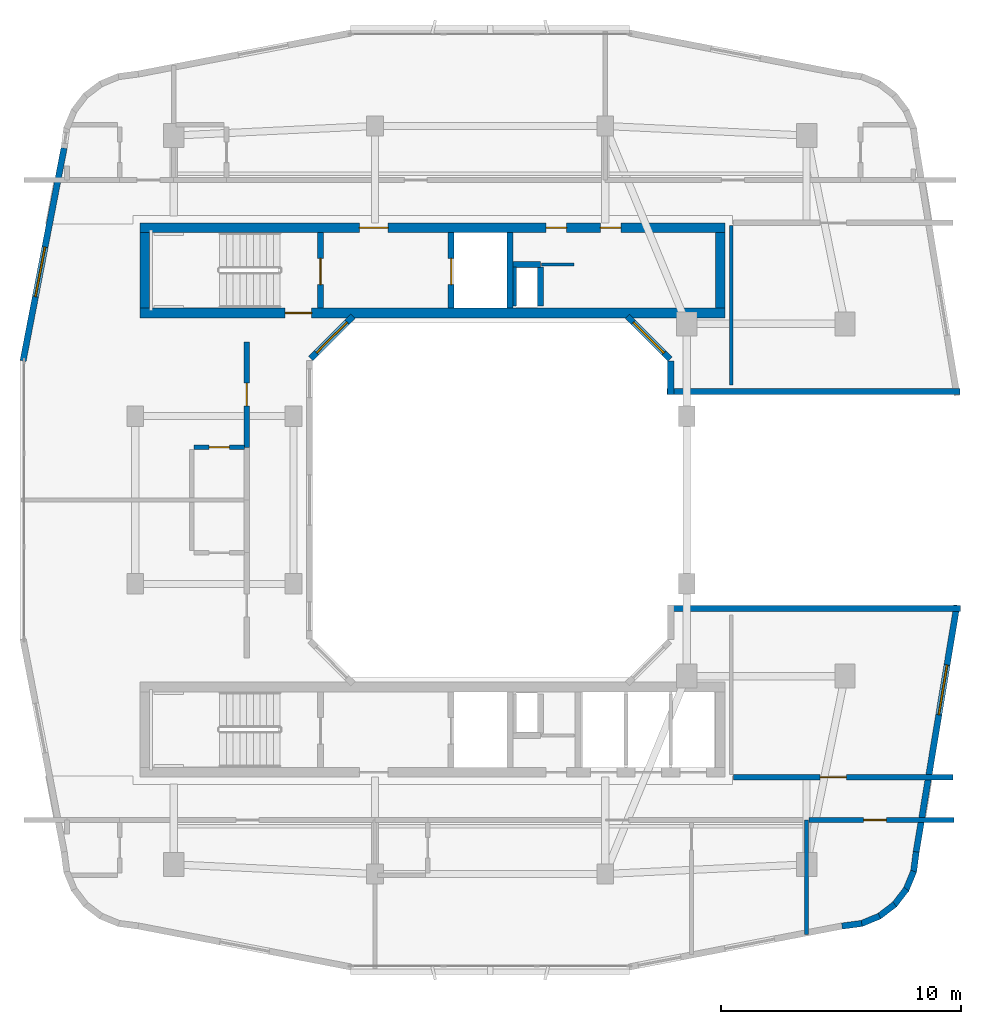
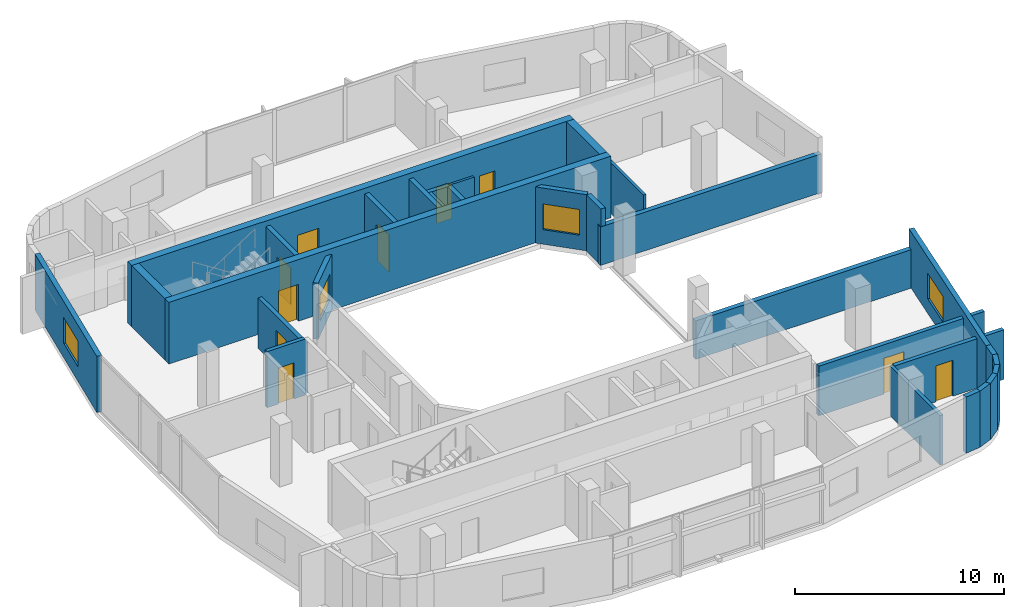
# One storey, part 6 of 12: 30 walls, 10 doors, 4 windows, 14 openings.
"""IFC4 building model written with IfcOpenShell, lengths in metres."""

from ifc_helpers import new_model, si_unit, derived_unit, direction, frame, frame_2d, origin, place, context, subcontext, project, spatial, rectangle, extrude, material, layer, layer_set, type_object, element, fill, save


model = new_model("IFC4")

# Units and contexts
model_context = context("Model", 3, precision=1e-05, world=origin(), true_north=direction((0.0, 1.0)))
body_context = subcontext(model_context, "Body", "Model", "MODEL_VIEW")
ifc_project = project(units=[si_unit("LENGTHUNIT", "METRE"), si_unit("AREAUNIT", "SQUARE_METRE"), si_unit("VOLUMEUNIT", "CUBIC_METRE"), si_unit("PLANEANGLEUNIT", "RADIAN"), si_unit("MASSUNIT", "GRAM", prefix="KILO"), derived_unit("THERMALTRANSMITTANCEUNIT", [(si_unit("POWERUNIT", "WATT"), 1), (si_unit("LENGTHUNIT", "METRE"), -2), (si_unit("THERMODYNAMICTEMPERATUREUNIT", "KELVIN"), -1)])], contexts=[model_context])

# Site, building, storey
site_placement = place(None, origin())
site = spatial("IfcSite", under=ifc_project, at=site_placement, CompositionType="ELEMENT")
building_placement = place(site_placement, origin())
building = spatial("IfcBuilding", under=site, at=building_placement, Name="Kivonza Crest Hotel", CompositionType="ELEMENT")
storey_placement = place(building_placement, frame((0.0, 0.0, 195.5)))
storey = spatial("IfcBuildingStorey", under=building, at=storey_placement, Name="L53", CompositionType="ELEMENT", Elevation=195.5)

# Wall
ifc_material_1 = material(Name="High-density acoustic masonry inter-tenancy wall", Category="masonry")
ifc_layer_1 = layer(ifc_material_1, 0.179931640625)
ifc_layer_set_1 = layer_set([ifc_layer_1], Name="High-density acoustic masonry inter-tenancy wall")
wall_type_1 = type_object("IfcWallType", Name="WL-ACOU-180", PredefinedType="SOLIDWALL", material=ifc_layer_set_1)
wall_1_placement = place(storey_placement, frame((34.199951171875, 6.8720703125, 0.0), z_axis=(0.0, 0.0, 1.0), x_axis=(0.0, 1.0, 0.0)))
element("IfcWall", 1, at=wall_1_placement, inside=storey, type_object=wall_type_1, Name="L53 interior partition WA-L53-T1S-DIV2", PredefinedType="SOLIDWALL", context=body_context, shape_type="SweptSolid", body=[
    extrude(rectangle(XDim=4.77783203125, YDim=0.179931640625, at=frame_2d((2.388916015625, 0.0))), origin(), (0.0, 0.0, 1.0), 2.89501953125),
])

# Wall, opening, door
ifc_material_2 = material(Name="Autoclaved aerated concrete blockwork", Category="masonry")
ifc_layer_2 = layer(ifc_material_2, 0.219970703125)
ifc_layer_set_2 = layer_set([ifc_layer_2], Name="Autoclaved aerated concrete blockwork")
wall_type_2 = type_object("IfcWallType", Name="WL-ACOU-220", PredefinedType="SOLIDWALL", material=ifc_layer_set_2)
wall_2_placement = place(storey_placement, frame((34.300048828125, 11.64990234375, 0.0), z_axis=(0.0, 0.0, 1.0), x_axis=(1.0, 0.0, 0.0)))
wall_2 = element("IfcWall", 2, at=wall_2_placement, inside=storey, type_object=wall_type_2, Name="L53 interior partition WA-L53-BUS-MTG-N", PredefinedType="SOLIDWALL", context=body_context, shape_type="SweptSolid", body=[
    extrude(rectangle(XDim=6.0400390625, YDim=0.219970703125, at=frame_2d((3.02001953125, 0.0))), origin(), (0.0, 0.0, 1.0), 2.89501953125),
])
opening_1_placement = place(wall_2_placement, frame((2.280029296875, 0.0, 0.0)))
opening_1 = element("IfcOpeningElement", 3, at=opening_1_placement, cuts=wall_2, Name="Opening DF-60S", PredefinedType="OPENING", context=body_context, shape_type="SweptSolid", body=[
    extrude(rectangle(XDim=0.949951171875, YDim=2.10009765625, at=frame_2d((0.47509765625, 1.050048828125))), frame((0.0, 0.1201171875, 0.0), z_axis=(0.0, -1.0, 0.0), x_axis=(1.0, 0.0, 0.0)), (0.0, 0.0, 1.0), 0.239990234375),
])
ifc_material_3 = material(Name="Hardwood timber oak", Category="wood")
door_type_1 = type_object("IfcDoorType", Name="DR-FD60-950", OperationType="NOTDEFINED", PredefinedType="DOOR", material=ifc_material_3)
door_1_placement = place(opening_1_placement, frame((0.949951171875, 0.0, 0.0), z_axis=(0.0, 0.0, 1.0), x_axis=(-1.0, 0.0, 0.0)))
door_1 = element("IfcDoor", 4, at=door_1_placement, inside=storey, type_object=door_type_1, Name="L53 Floor Beverage Kitchen door", OperationType="SINGLE_SWING_RIGHT", OverallHeight=2.10009765625, OverallWidth=0.949951171875, PredefinedType="DOOR", context=body_context, shape_type="SweptSolid", body=[
    extrude(rectangle(XDim=0.949951171875, YDim=2.10009765625, at=frame_2d((0.47509765625, 1.050048828125))), frame((0.0, 0.02490234375, 0.0), z_axis=(0.0, -1.0, 0.0), x_axis=(1.0, 0.0, 0.0)), (0.0, 0.0, 1.0), 0.050048828125),
])
fill(opening_1, door_1)

wall_3_placement = place(storey_placement, frame((10.85009765625, 27.199951171875, 0.0), z_axis=(0.0, 0.0, 1.0), x_axis=(0.0, 1.0, 0.0)))
wall_3 = element("IfcWall", 5, at=wall_3_placement, inside=storey, type_object=wall_type_2, Name="L53 interior partition WA-L53-W07-MCORR", PredefinedType="SOLIDWALL", context=body_context, shape_type="SweptSolid", body=[
    extrude(rectangle(XDim=4.400146484375, YDim=0.219970703125, at=frame_2d((2.2001953125, 0.0))), origin(), (0.0, 0.0, 1.0), 2.955078125),
])
opening_2_placement = place(wall_3_placement, frame((1.72509765625, 0.0, 0.0)))
opening_2 = element("IfcOpeningElement", 6, at=opening_2_placement, cuts=wall_3, Name="Opening DU-60", PredefinedType="OPENING", context=body_context, shape_type="SweptSolid", body=[
    extrude(rectangle(XDim=0.949951171875, YDim=2.10009765625, at=frame_2d((0.47509765625, 1.050048828125))), frame((0.0, 0.1201171875, 0.0), z_axis=(0.0, -1.0, 0.0), x_axis=(1.0, 0.0, 0.0)), (0.0, 0.0, 1.0), 0.239990234375),
])
door_type_2 = type_object("IfcDoorType", Name="DR-UNIT-950", OperationType="NOTDEFINED", PredefinedType="DOOR", material=ifc_material_3)
door_2_placement = place(opening_2_placement, origin())
door_2 = element("IfcDoor", 7, at=door_2_placement, inside=storey, type_object=door_type_2, Name="L53 W07 guest unit entrance fire door", OperationType="SINGLE_SWING_LEFT", OverallHeight=2.10009765625, OverallWidth=0.949951171875, PredefinedType="DOOR", context=body_context, shape_type="SweptSolid", body=[
    extrude(rectangle(XDim=0.949951171875, YDim=2.10009765625, at=frame_2d((0.47509765625, 1.050048828125))), frame((0.0, 0.02490234375, 0.0), z_axis=(0.0, -1.0, 0.0), x_axis=(1.0, 0.0, 0.0)), (0.0, 0.0, 1.0), 0.050048828125),
])
fill(opening_2, door_2)

wall_4_placement = place(storey_placement, frame((31.14990234375, 13.43994140625, 0.0), z_axis=(0.0, 0.0, 1.0), x_axis=(1.0, 0.0, 0.0)))
wall_4 = element("IfcWall", 8, at=wall_4_placement, inside=storey, type_object=wall_type_2, Name="L53 interior partition WA-L53-EP1-S", PredefinedType="SOLIDWALL", context=body_context, shape_type="SweptSolid", body=[
    extrude(rectangle(XDim=9.150146484375, YDim=0.219970703125, at=frame_2d((4.5751953125, 0.0))), origin(), (0.0, 0.0, 1.0), 2.89501953125),
])
opening_3_placement = place(wall_4_placement, frame((3.612060546875, 0.0, 0.0)))
opening_3 = element("IfcOpeningElement", 9, at=opening_3_placement, cuts=wall_4, Name="Opening DF-60M", PredefinedType="OPENING", context=body_context, shape_type="SweptSolid", body=[
    extrude(rectangle(XDim=1.10009765625, YDim=2.10009765625, at=frame_2d((0.550048828125, 1.050048828125))), frame((0.0, 0.1201171875, 0.0), z_axis=(0.0, -1.0, 0.0), x_axis=(1.0, 0.0, 0.0)), (0.0, 0.0, 1.0), 0.239990234375),
])
door_type_3 = type_object("IfcDoorType", Name="DR-FD60-1100", OperationType="NOTDEFINED", PredefinedType="DOOR", material=ifc_material_3)
door_3_placement = place(opening_3_placement, origin())
door_3 = element("IfcDoor", 10, at=door_3_placement, inside=storey, type_object=door_type_3, Name="L53 South Portal Sky Salon door", OperationType="SINGLE_SWING_RIGHT", OverallHeight=2.10009765625, OverallWidth=1.10009765625, PredefinedType="DOOR", context=body_context, shape_type="SweptSolid", body=[
    extrude(rectangle(XDim=1.10009765625, YDim=2.10009765625, at=frame_2d((0.550048828125, 1.050048828125))), frame((0.0, 0.02490234375, 0.0), z_axis=(0.0, -1.0, 0.0), x_axis=(1.0, 0.0, 0.0)), (0.0, 0.0, 1.0), 0.050048828125),
])
fill(opening_3, door_3)

ifc_material_4 = material(Name="Concrete C50/60", Category="concrete")
ifc_layer_3 = layer(ifc_material_4, 0.39990234375)
ifc_layer_set_3 = layer_set([ifc_layer_3], Name="Concrete C50/60")
wall_type_3 = type_object("IfcWallType", Name="WL-CORE-400", PredefinedType="SHEAR", material=ifc_layer_set_3)
wall_5_placement = place(storey_placement, frame((6.39990234375, 32.800048828125, 0.0), z_axis=(0.0, 0.0, 1.0), x_axis=(1.0, 0.0, 0.0)))
wall_5 = element("IfcWall", 11, at=wall_5_placement, inside=storey, type_object=wall_type_3, Name="Core wall T1-N South L53", PredefinedType="SHEAR", context=body_context, shape_type="SweptSolid", body=[
    extrude(rectangle(XDim=24.400146484375, YDim=0.39990234375, at=frame_2d((12.2001953125, 0.0))), origin(), (0.0, 0.0, 1.0), 3.60009765625),
])
opening_4_placement = place(wall_5_placement, frame((6.050048828125, 0.0, 0.0)))
opening_4 = element("IfcOpeningElement", 12, at=opening_4_placement, cuts=wall_5, Name="Opening DF-120", PredefinedType="OPENING", context=body_context, shape_type="SweptSolid", body=[
    extrude(rectangle(XDim=1.10009765625, YDim=2.14990234375, at=frame_2d((0.550048828125, 1.074951171875))), frame((0.0, 0.2099609375, 0.0), z_axis=(0.0, -1.0, 0.0), x_axis=(1.0, 0.0, 0.0)), (0.0, 0.0, 1.0), 0.419921875),
])
ifc_material_5 = material(Name="Galvanised steel", Category="steel")
door_type_4 = type_object("IfcDoorType", Name="DR-FD120-1100", OperationType="NOTDEFINED", PredefinedType="DOOR", material=ifc_material_5)
door_4_placement = place(opening_4_placement, origin())
door_4 = element("IfcDoor", 13, at=door_4_placement, inside=storey, type_object=door_type_4, Name="L53 West corridor stair access fire door", OperationType="SINGLE_SWING_LEFT", OverallHeight=2.14990234375, OverallWidth=1.10009765625, PredefinedType="DOOR", context=body_context, shape_type="SweptSolid", body=[
    extrude(rectangle(XDim=1.10009765625, YDim=2.14990234375, at=frame_2d((0.550048828125, 1.074951171875))), frame((0.0, 0.02490234375, 0.0), z_axis=(0.0, -1.0, 0.0), x_axis=(1.0, 0.0, 0.0)), (0.0, 0.0, 1.0), 0.050048828125),
])
fill(opening_4, door_4)

# Wall, openings, doors
wall_6_placement = place(storey_placement, frame((6.39990234375, 36.360107421875, 0.0), z_axis=(0.0, 0.0, 1.0), x_axis=(1.0, 0.0, 0.0)))
wall_6 = element("IfcWall", 14, at=wall_6_placement, inside=storey, type_object=wall_type_3, Name="Core wall T1-N North L53", PredefinedType="SHEAR", context=body_context, shape_type="SweptSolid", body=[
    extrude(rectangle(XDim=24.400146484375, YDim=0.39990234375, at=frame_2d((12.2001953125, 0.0))), origin(), (0.0, 0.0, 1.0), 3.60009765625),
])
opening_5_placement = place(wall_6_placement, frame((9.14990234375, 0.0, 0.0)))
opening_5 = element("IfcOpeningElement", 15, at=opening_5_placement, cuts=wall_6, Name="Opening DF-60", PredefinedType="OPENING", context=body_context, shape_type="SweptSolid", body=[
    extrude(rectangle(XDim=1.199951171875, YDim=2.14990234375, at=frame_2d((0.60009765625, 1.074951171875))), frame((0.0, 0.2099609375, 0.0), z_axis=(0.0, -1.0, 0.0), x_axis=(1.0, 0.0, 0.0)), (0.0, 0.0, 1.0), 0.419921875),
])
opening_6_placement = place(wall_6_placement, frame((19.199951171875, 0.0, 0.0)))
opening_6 = element("IfcOpeningElement", 16, at=opening_6_placement, cuts=wall_6, Name="Opening DF-60R", PredefinedType="OPENING", context=body_context, shape_type="SweptSolid", body=[
    extrude(rectangle(XDim=0.85009765625, YDim=2.10009765625, at=frame_2d((0.425048828125, 1.050048828125))), frame((0.0, 0.2099609375, 0.0), z_axis=(0.0, -1.0, 0.0), x_axis=(1.0, 0.0, 0.0)), (0.0, 0.0, 1.0), 0.419921875),
])
opening_7_placement = place(wall_6_placement, frame((16.93994140625, 0.0, 0.0)))
opening_7 = element("IfcOpeningElement", 17, at=opening_7_placement, cuts=wall_6, Name="Opening DF-60R", PredefinedType="OPENING", context=body_context, shape_type="SweptSolid", body=[
    extrude(rectangle(XDim=0.85009765625, YDim=2.10009765625, at=frame_2d((0.425048828125, 1.050048828125))), frame((0.0, 0.2099609375, 0.0), z_axis=(0.0, -1.0, 0.0), x_axis=(1.0, 0.0, 0.0)), (0.0, 0.0, 1.0), 0.419921875),
])
door_type_5 = type_object("IfcDoorType", Name="DR-FD60-1200", OperationType="NOTDEFINED", PredefinedType="DOOR", material=ifc_material_3)
door_5_placement = place(opening_5_placement, origin())
door_5 = element("IfcDoor", 18, at=door_5_placement, inside=storey, type_object=door_type_5, Name="L53 T1-N firefighting lobby fire door", OperationType="SINGLE_SWING_RIGHT", OverallHeight=2.14990234375, OverallWidth=1.199951171875, PredefinedType="DOOR", context=body_context, shape_type="SweptSolid", body=[
    extrude(rectangle(XDim=1.199951171875, YDim=2.14990234375, at=frame_2d((0.60009765625, 1.074951171875))), frame((0.0, 0.02490234375, 0.0), z_axis=(0.0, -1.0, 0.0), x_axis=(1.0, 0.0, 0.0)), (0.0, 0.0, 1.0), 0.050048828125),
])
fill(opening_5, door_5)
door_type_6 = type_object("IfcDoorType", Name="DR-FD60-850", OperationType="NOTDEFINED", PredefinedType="DOOR", material=ifc_material_3)
door_6_placement = place(opening_6_placement, origin())
door_6 = element("IfcDoor", 19, at=door_6_placement, inside=storey, type_object=door_type_6, Name="L53 T1-N reclaimed core service door", OperationType="SINGLE_SWING_LEFT", OverallHeight=2.10009765625, OverallWidth=0.85009765625, PredefinedType="DOOR", context=body_context, shape_type="SweptSolid", body=[
    extrude(rectangle(XDim=0.85009765625, YDim=2.10009765625, at=frame_2d((0.425048828125, 1.050048828125))), frame((0.0, 0.02490234375, 0.0), z_axis=(0.0, -1.0, 0.0), x_axis=(1.0, 0.0, 0.0)), (0.0, 0.0, 1.0), 0.050048828125),
])
fill(opening_6, door_6)
door_7_placement = place(opening_7_placement, origin())
door_7 = element("IfcDoor", 20, at=door_7_placement, inside=storey, type_object=door_type_6, Name="L53 T1-N core room door", OperationType="SINGLE_SWING_RIGHT", OverallHeight=2.10009765625, OverallWidth=0.85009765625, PredefinedType="DOOR", context=body_context, shape_type="SweptSolid", body=[
    extrude(rectangle(XDim=0.85009765625, YDim=2.10009765625, at=frame_2d((0.425048828125, 1.050048828125))), frame((0.0, 0.02490234375, 0.0), z_axis=(0.0, -1.0, 0.0), x_axis=(1.0, 0.0, 0.0)), (0.0, 0.0, 1.0), 0.050048828125),
])
fill(opening_7, door_7)

# Walls
for number, where, z_axis, x_axis, name in (
    (21, (6.60009765625, 33.0, 0.0), (0.0, 0.0, 1.0), (0.0, 1.0, 0.0), "Core wall T1-N West L53"),
    (22, (30.60009765625, 33.0, 0.0), (0.0, 0.0, 1.0), (0.0, 1.0, 0.0), "Core wall T1-N East L53"),
):
    element("IfcWall", number, at=place(storey_placement, frame(where, z_axis=z_axis, x_axis=x_axis)), inside=storey, type_object=wall_type_3, Name=name, PredefinedType="SHEAR", context=body_context, shape_type="SweptSolid", body=[
        extrude(rectangle(XDim=3.159912109375, YDim=0.39990234375, at=frame_2d((1.580078125, 0.0))), origin(), (0.0, 0.0, 1.0), 3.60009765625),
    ])
ifc_material_6 = material(Name="Precast concrete C40/50", Category="concrete")
ifc_layer_4 = layer(ifc_material_6, 0.260009765625)
ifc_layer_set_4 = layer_set([ifc_layer_4], Name="Precast concrete C40/50")
wall_type_4 = type_object("IfcWallType", Name="WL-EXT-260", PredefinedType="STANDARD", material=ifc_layer_set_4)
wall_7_placement = place(storey_placement, frame((35.675048828125, 7.22802734375, 0.0), z_axis=(0.0, 0.0, 1.0), x_axis=(0.99142134712, 0.130704676564, 0.0)))
element("IfcWall", 23, at=wall_7_placement, inside=storey, type_object=wall_type_4, Name="L53 T1 exterior insulated wall 10", PredefinedType="STANDARD", context=body_context, shape_type="SweptSolid", body=[
    extrude(rectangle(XDim=0.8330078125, YDim=0.260009765625, at=frame_2d((0.41650390625, 0.0))), origin(), (0.0, 0.0, 1.0), 3.280029296875),
])
wall_8_placement = place(storey_placement, frame((36.455078125, 7.319091796875, 0.0), z_axis=(0.0, 0.0, 1.0), x_axis=(0.923712395518, 0.383086687796, 0.0)))
element("IfcWall", 24, at=wall_8_placement, inside=storey, type_object=wall_type_4, Name="L53 T1 exterior insulated wall 11", PredefinedType="STANDARD", context=body_context, shape_type="SweptSolid", body=[
    extrude(rectangle(XDim=0.850830078125, YDim=0.260009765625, at=frame_2d((0.42529296875, 0.0))), origin(), (0.0, 0.0, 1.0), 3.280029296875),
])
for number, where, z_axis, x_axis, name in (
    (25, (37.200927734375, 7.616943359375, 0.0), (0.0, 0.0, 1.0), (0.793860452124, 0.608099977432, 0.0), "L53 T1 exterior insulated wall 12"),
    (26, (37.844970703125, 8.095947265625, 0.0), (0.0, 0.0, 1.0), (0.608099977432, 0.793860452124, 0.0), "L53 T1 exterior insulated wall 13"),
):
    element("IfcWall", number, at=place(storey_placement, frame(where, z_axis=z_axis, x_axis=x_axis)), inside=storey, type_object=wall_type_4, Name=name, PredefinedType="STANDARD", context=body_context, shape_type="SweptSolid", body=[
        extrude(rectangle(XDim=0.850341796875, YDim=0.260009765625, at=frame_2d((0.42529296875, 0.0))), origin(), (0.0, 0.0, 1.0), 3.280029296875),
    ])
wall_9_placement = place(storey_placement, frame((38.341064453125, 8.72705078125, 0.0), z_axis=(0.0, 0.0, 1.0), x_axis=(0.383086687796, 0.923712395518, 0.0)))
element("IfcWall", 27, at=wall_9_placement, inside=storey, type_object=wall_type_4, Name="L53 T1 exterior insulated wall 14", PredefinedType="STANDARD", context=body_context, shape_type="SweptSolid", body=[
    extrude(rectangle(XDim=0.850830078125, YDim=0.260009765625, at=frame_2d((0.42529296875, 0.0))), origin(), (0.0, 0.0, 1.0), 3.280029296875),
])
wall_10_placement = place(storey_placement, frame((38.658935546875, 9.464111328125, 0.0), z_axis=(0.0, 0.0, 1.0), x_axis=(0.130192647656, 0.991488716273, 0.0)))
element("IfcWall", 28, at=wall_10_placement, inside=storey, type_object=wall_type_4, Name="L53 T1 exterior insulated wall 15", PredefinedType="STANDARD", context=body_context, shape_type="SweptSolid", body=[
    extrude(rectangle(XDim=0.8681640625, YDim=0.260009765625, at=frame_2d((0.43408203125, 0.0))), origin(), (0.0, 0.0, 1.0), 3.280029296875),
])

# Wall, opening, window
wall_11_placement = place(storey_placement, frame((38.77099609375, 10.31298828125, 0.0), z_axis=(0.0, 0.0, 1.0), x_axis=(0.16277908586, 0.986662540693, 0.0)))
wall_11 = element("IfcWall", 29, at=wall_11_placement, inside=storey, type_object=wall_type_4, Name="L53 T1 exterior insulated wall 16", PredefinedType="STANDARD", context=body_context, shape_type="SweptSolid", body=[
    extrude(rectangle(XDim=10.437255859375, YDim=0.260009765625, at=frame_2d((5.21875, 0.0))), origin(), (0.0, 0.0, 1.0), 3.280029296875),
])
opening_8_placement = place(wall_11_placement, frame((5.81005859375, 0.0, 0.85009765625)))
opening_8 = element("IfcOpeningElement", 30, at=opening_8_placement, cuts=wall_11, Name="Opening WN-04", PredefinedType="OPENING", context=body_context, shape_type="SweptSolid", body=[
    extrude(rectangle(XDim=2.10009765625, YDim=1.5, at=frame_2d((1.050048828125, 0.75))), frame((0.0, 0.14013671875, 0.0), z_axis=(0.0, -1.0, 0.0), x_axis=(1.0, 0.0, 0.0)), (0.0, 0.0, 1.0), 0.280029296875),
])
ifc_material_7 = material(Name="Thermally broken bronze aluminium and low-E double glazing", Category="aluminium")
window_type_1 = type_object("IfcWindowType", Name="WN-210x150", PartitioningType="DOUBLE_PANEL_VERTICAL", PredefinedType="WINDOW", material=ifc_material_7)
window_1_placement = place(opening_8_placement, origin())
window_1 = element("IfcWindow", 31, at=window_1_placement, inside=storey, type_object=window_type_1, Name="L53 T1 facade window 16", OverallHeight=1.5, OverallWidth=2.10009765625, PartitioningType="SINGLE_PANEL", PredefinedType="WINDOW", context=body_context, shape_type="SweptSolid", body=[
    extrude(rectangle(XDim=2.10009765625, YDim=1.5, at=frame_2d((1.050048828125, 0.75))), frame((0.0, 0.030029296875, 0.0), z_axis=(0.0, -1.0, 0.0), x_axis=(1.0, 0.0, 0.0)), (0.0, 0.0, 1.0), 0.06005859375),
])
fill(opening_8, window_1)

# Wall
wall_12_placement = place(storey_placement, frame((40.625, 20.469970703125, 0.0), z_axis=(0.0, 0.0, 1.0), x_axis=(-1.0, 0.0, 0.0)))
element("IfcWall", 32, at=wall_12_placement, inside=storey, type_object=wall_type_4, Name="L53 T1 exterior insulated wall 17", PredefinedType="STANDARD", context=body_context, shape_type="SweptSolid", body=[
    extrude(rectangle(XDim=12.215087890625, YDim=0.260009765625, at=frame_2d((6.107421875, 0.0))), origin(), (0.0, 0.0, 1.0), 2.25),
])

# Wall, opening, window
wall_13_placement = place(storey_placement, frame((13.514892578125, 30.89892578125, 0.0), z_axis=(0.0, 0.0, 1.0), x_axis=(0.707106781187, 0.707106781187, 0.0)))
wall_13 = element("IfcWall", 33, at=wall_13_placement, inside=storey, type_object=wall_type_4, Name="L53 T1 exterior insulated wall 23", PredefinedType="STANDARD", context=body_context, shape_type="SweptSolid", body=[
    extrude(rectangle(XDim=2.493408203125, YDim=0.260009765625, at=frame_2d((1.24658203125, 0.0))), origin(), (0.0, 0.0, 1.0), 3.280029296875),
])
opening_9_placement = place(wall_13_placement, frame((0.346923828125, 0.0, 0.85009765625)))
opening_9 = element("IfcOpeningElement", 34, at=opening_9_placement, cuts=wall_13, Name="Opening WN-03", PredefinedType="OPENING", context=body_context, shape_type="SweptSolid", body=[
    extrude(rectangle(XDim=1.800048828125, YDim=1.5, at=frame_2d((0.89990234375, 0.75))), frame((0.0, 0.14013671875, 0.0), z_axis=(0.0, -1.0, 0.0), x_axis=(1.0, 0.0, 0.0)), (0.0, 0.0, 1.0), 0.280029296875),
])
window_type_2 = type_object("IfcWindowType", Name="WN-180x150", PartitioningType="DOUBLE_PANEL_VERTICAL", PredefinedType="WINDOW", material=ifc_material_7)
window_2_placement = place(opening_9_placement, origin())
window_2 = element("IfcWindow", 35, at=window_2_placement, inside=storey, type_object=window_type_2, Name="L53 T1 facade window 23", OverallHeight=1.5, OverallWidth=1.800048828125, PartitioningType="SINGLE_PANEL", PredefinedType="WINDOW", context=body_context, shape_type="SweptSolid", body=[
    extrude(rectangle(XDim=1.800048828125, YDim=1.5, at=frame_2d((0.89990234375, 0.75))), frame((0.0, 0.030029296875, 0.0), z_axis=(0.0, -1.0, 0.0), x_axis=(1.0, 0.0, 0.0)), (0.0, 0.0, 1.0), 0.06005859375),
])
fill(opening_9, window_2)

wall_14_placement = place(storey_placement, frame((26.721923828125, 32.662109375, 0.0), z_axis=(0.0, 0.0, 1.0), x_axis=(0.707106781187, -0.707106781187, 0.0)))
wall_14 = element("IfcWall", 36, at=wall_14_placement, inside=storey, type_object=wall_type_4, Name="L53 T1 exterior insulated wall 25", PredefinedType="STANDARD", context=body_context, shape_type="SweptSolid", body=[
    extrude(rectangle(XDim=2.52880859375, YDim=0.260009765625, at=frame_2d((1.264404296875, 0.0))), origin(), (0.0, 0.0, 1.0), 3.280029296875),
])
opening_10_placement = place(wall_14_placement, frame((0.364013671875, 0.0, 0.85009765625)))
opening_10 = element("IfcOpeningElement", 37, at=opening_10_placement, cuts=wall_14, Name="Opening WN-03", PredefinedType="OPENING", context=body_context, shape_type="SweptSolid", body=[
    extrude(rectangle(XDim=1.800048828125, YDim=1.5, at=frame_2d((0.89990234375, 0.75))), frame((0.0, 0.14013671875, 0.0), z_axis=(0.0, -1.0, 0.0), x_axis=(1.0, 0.0, 0.0)), (0.0, 0.0, 1.0), 0.280029296875),
])
window_3_placement = place(opening_10_placement, origin())
window_3 = element("IfcWindow", 38, at=window_3_placement, inside=storey, type_object=window_type_2, Name="L53 T1 facade window 25", OverallHeight=1.5, OverallWidth=1.800048828125, PartitioningType="SINGLE_PANEL", PredefinedType="WINDOW", context=body_context, shape_type="SweptSolid", body=[
    extrude(rectangle(XDim=1.800048828125, YDim=1.5, at=frame_2d((0.89990234375, 0.75))), frame((0.0, 0.030029296875, 0.0), z_axis=(0.0, -1.0, 0.0), x_axis=(1.0, 0.0, 0.0)), (0.0, 0.0, 1.0), 0.06005859375),
])
fill(opening_10, window_3)

# Walls
wall_15_placement = place(storey_placement, frame((28.530029296875, 30.7900390625, 0.0), z_axis=(0.0, 0.0, 1.0), x_axis=(0.0, -1.0, 0.0)))
element("IfcWall", 39, at=wall_15_placement, inside=storey, type_object=wall_type_4, Name="L53 T1 exterior insulated wall 26", PredefinedType="STANDARD", context=body_context, shape_type="SweptSolid", body=[
    extrude(rectangle(XDim=1.380126953125, YDim=0.260009765625, at=frame_2d((0.68994140625, 0.0))), origin(), (0.0, 0.0, 1.0), 3.280029296875),
])
wall_16_placement = place(storey_placement, frame((28.375, 29.530029296875, 0.0), z_axis=(0.0, 0.0, 1.0), x_axis=(1.0, 0.0, 0.0)))
element("IfcWall", 40, at=wall_16_placement, inside=storey, type_object=wall_type_4, Name="L53 T1 exterior insulated wall 27", PredefinedType="STANDARD", context=body_context, shape_type="SweptSolid", body=[
    extrude(rectangle(XDim=12.215087890625, YDim=0.260009765625, at=frame_2d((6.107421875, 0.0))), origin(), (0.0, 0.0, 1.0), 2.25),
])

# Wall, opening, window
wall_17_placement = place(storey_placement, frame((3.22998046875, 39.68310546875, 0.0), z_axis=(0.0, 0.0, 1.0), x_axis=(-0.189254809039, -0.98192801022, 0.0)))
wall_17 = element("IfcWall", 41, at=wall_17_placement, inside=storey, type_object=wall_type_4, Name="L53 T1 exterior insulated wall 44", PredefinedType="STANDARD", context=body_context, shape_type="SweptSolid", body=[
    extrude(rectangle(XDim=9.045654296875, YDim=0.260009765625, at=frame_2d((4.52294921875, 0.0))), origin(), (0.0, 0.0, 1.0), 3.280029296875),
])
opening_11_placement = place(wall_17_placement, frame((4.2119140625, 0.0, 0.85009765625)))
opening_11 = element("IfcOpeningElement", 42, at=opening_11_placement, cuts=wall_17, Name="Opening WN-04", PredefinedType="OPENING", context=body_context, shape_type="SweptSolid", body=[
    extrude(rectangle(XDim=2.10009765625, YDim=1.5, at=frame_2d((1.050048828125, 0.75))), frame((0.0, 0.14013671875, 0.0), z_axis=(0.0, -1.0, 0.0), x_axis=(1.0, 0.0, 0.0)), (0.0, 0.0, 1.0), 0.280029296875),
])
window_4_placement = place(opening_11_placement, origin())
window_4 = element("IfcWindow", 43, at=window_4_placement, inside=storey, type_object=window_type_1, Name="L53 T1 facade window 44", OverallHeight=1.5, OverallWidth=2.10009765625, PartitioningType="SINGLE_PANEL", PredefinedType="WINDOW", context=body_context, shape_type="SweptSolid", body=[
    extrude(rectangle(XDim=2.10009765625, YDim=1.5, at=frame_2d((1.050048828125, 0.75))), frame((0.0, 0.030029296875, 0.0), z_axis=(0.0, -1.0, 0.0), x_axis=(1.0, 0.0, 0.0)), (0.0, 0.0, 1.0), 0.06005859375),
])
fill(opening_11, window_4)

# Walls
ifc_material_8 = material(Name="Concrete blockwork fire-compartment wall", Category="masonry")
ifc_layer_5 = layer(ifc_material_8, 0.25)
ifc_layer_set_5 = layer_set([ifc_layer_5], Name="Concrete blockwork fire-compartment wall")
wall_type_5 = type_object("IfcWallType", Name="WL-FIRE-250", PredefinedType="SOLIDWALL", material=ifc_layer_set_5)
wall_18_placement = place(storey_placement, frame((23.10009765625, 33.10009765625, 0.0), z_axis=(0.0, 0.0, 1.0), x_axis=(0.0, 1.0, 0.0)))
element("IfcWall", 44, at=wall_18_placement, inside=storey, type_object=wall_type_5, Name="L53 interior partition WA-L53-T1-N-MEPR-E", PredefinedType="SOLIDWALL", context=body_context, shape_type="SweptSolid", body=[
    extrude(rectangle(XDim=1.619873046875, YDim=0.25, at=frame_2d((0.81005859375, 0.0))), origin(), (0.0, 0.0, 1.0), 3.280029296875),
])
wall_19_placement = place(storey_placement, frame((21.949951171875, 34.820068359375, 0.0), z_axis=(0.0, 0.0, 1.0), x_axis=(1.0, 0.0, 0.0)))
element("IfcWall", 45, at=wall_19_placement, inside=storey, type_object=wall_type_5, Name="L53 interior partition WA-L53-T1-N-MEPR-H", PredefinedType="SOLIDWALL", context=body_context, shape_type="SweptSolid", body=[
    extrude(rectangle(XDim=1.150146484375, YDim=0.25, at=frame_2d((0.5751953125, 0.0))), origin(), (0.0, 0.0, 1.0), 3.280029296875),
])
ifc_material_9 = material(Name="Metal-stud gypsum board partition", Category="gypsum")
ifc_layer_6 = layer(ifc_material_9, 0.125)
ifc_layer_set_6 = layer_set([ifc_layer_6], Name="Metal-stud gypsum board partition")
wall_type_6 = type_object("IfcWallType", Name="WL-PART-125", PredefinedType="PARTITIONING", material=ifc_layer_set_6)
wall_20_placement = place(storey_placement, frame((23.14990234375, 34.820068359375, 0.0), z_axis=(0.0, 0.0, 1.0), x_axis=(1.0, 0.0, 0.0)))
element("IfcWall", 46, at=wall_20_placement, inside=storey, type_object=wall_type_6, Name="L53 interior partition WP-L53-T1-N-SV2H", PredefinedType="PARTITIONING", context=body_context, shape_type="SweptSolid", body=[
    extrude(rectangle(XDim=1.35009765625, YDim=0.125, at=frame_2d((0.675048828125, 0.0))), origin(), (0.0, 0.0, 1.0), 3.280029296875),
])
ifc_material_10 = material(Name="Twin-stud acoustic gypsum board partition", Category="gypsum")
ifc_layer_7 = layer(ifc_material_10, 0.14990234375)
ifc_layer_set_7 = layer_set([ifc_layer_7], Name="Twin-stud acoustic gypsum board partition")
wall_type_7 = type_object("IfcWallType", Name="WL-PART-150", PredefinedType="PARTITIONING", material=ifc_layer_set_7)
wall_21_placement = place(storey_placement, frame((22.030029296875, 33.10009765625, 0.0), z_axis=(0.0, 0.0, 1.0), x_axis=(0.0, 1.0, 0.0)))
element("IfcWall", 47, at=wall_21_placement, inside=storey, type_object=wall_type_7, Name="L53 interior partition WA-L53-T1-N-MEPR-W", PredefinedType="PARTITIONING", context=body_context, shape_type="SweptSolid", body=[
    extrude(rectangle(XDim=1.619873046875, YDim=0.14990234375, at=frame_2d((0.81005859375, 0.0))), origin(), (0.0, 0.0, 1.0), 3.280029296875),
])
wall_22_placement = place(storey_placement, frame((31.050048828125, 29.800048828125, 0.0), z_axis=(0.0, 0.0, 1.0), x_axis=(0.0, 1.0, 0.0)))
element("IfcWall", 48, at=wall_22_placement, inside=storey, type_object=wall_type_7, Name="L53 interior partition WP-L53-EP2-BW", PredefinedType="PARTITIONING", context=body_context, shape_type="SweptSolid", body=[
    extrude(rectangle(XDim=6.659912109375, YDim=0.14990234375, at=frame_2d((3.330078125, 0.0))), origin(), (0.0, 0.0, 1.0), 2.955078125),
])

# Wall, opening, door
ifc_material_11 = material(Name="Moisture-resistant plumbing chase partition wall", Category="gypsum")
ifc_layer_8 = layer(ifc_material_11, 0.199951171875)
ifc_layer_set_8 = layer_set([ifc_layer_8], Name="Moisture-resistant plumbing chase partition wall")
wall_type_8 = type_object("IfcWallType", Name="WL-PLUMB-200", PredefinedType="PLUMBINGWALL", material=ifc_layer_set_8)
wall_23_placement = place(storey_placement, frame((8.64990234375, 27.199951171875, 0.0), z_axis=(0.0, 0.0, 1.0), x_axis=(1.0, 0.0, 0.0)))
wall_23 = element("IfcWall", 49, at=wall_23_placement, inside=storey, type_object=wall_type_8, Name="L53 interior partition WW-L53-W07-BH", PredefinedType="PLUMBINGWALL", context=body_context, shape_type="SweptSolid", body=[
    extrude(rectangle(XDim=2.10009765625, YDim=0.199951171875, at=frame_2d((1.050048828125, 0.0))), origin(), (0.0, 0.0, 1.0), 3.280029296875),
])
opening_12_placement = place(wall_23_placement, frame((0.625, 0.0, 0.0)))
opening_12 = element("IfcOpeningElement", 50, at=opening_12_placement, cuts=wall_23, Name="Opening DI-85", PredefinedType="OPENING", context=body_context, shape_type="SweptSolid", body=[
    extrude(rectangle(XDim=0.85009765625, YDim=2.10009765625, at=frame_2d((0.425048828125, 1.050048828125))), frame((0.0, 0.10986328125, 0.0), z_axis=(0.0, -1.0, 0.0), x_axis=(1.0, 0.0, 0.0)), (0.0, 0.0, 1.0), 0.219970703125),
])
door_type_7 = type_object("IfcDoorType", Name="DR-INT-850", OperationType="NOTDEFINED", PredefinedType="DOOR", material=ifc_material_3)
door_8_placement = place(opening_12_placement, origin())
door_8 = element("IfcDoor", 51, at=door_8_placement, inside=storey, type_object=door_type_7, Name="L53 W07 en-suite bathroom door", OperationType="SINGLE_SWING_RIGHT", OverallHeight=2.10009765625, OverallWidth=0.85009765625, PredefinedType="DOOR", context=body_context, shape_type="SweptSolid", body=[
    extrude(rectangle(XDim=0.85009765625, YDim=2.10009765625, at=frame_2d((0.425048828125, 1.050048828125))), frame((0.0, 0.02490234375, 0.0), z_axis=(0.0, -1.0, 0.0), x_axis=(1.0, 0.0, 0.0)), (0.0, 0.0, 1.0), 0.050048828125),
])
fill(opening_12, door_8)

ifc_layer_9 = layer(ifc_material_4, 0.25)
ifc_layer_set_9 = layer_set([ifc_layer_9], Name="Concrete C50/60")
wall_type_9 = type_object("IfcWallType", Name="WL-SHAFT-250", PredefinedType="STANDARD", material=ifc_layer_set_9)
wall_24_placement = place(storey_placement, frame((13.925048828125, 33.0, 0.0), z_axis=(0.0, 0.0, 1.0), x_axis=(0.0, 1.0, 0.0)))
wall_24 = element("IfcWall", 52, at=wall_24_placement, inside=storey, type_object=wall_type_9, Name="Core shaft wall T1-N STAIR L53", PredefinedType="STANDARD", context=body_context, shape_type="SweptSolid", body=[
    extrude(rectangle(XDim=3.159912109375, YDim=0.25, at=frame_2d((1.580078125, 0.0))), origin(), (0.0, 0.0, 1.0), 3.280029296875),
])
opening_13_placement = place(wall_24_placement, frame((0.97998046875, 0.0, 0.0)))
opening_13 = element("IfcOpeningElement", 53, at=opening_13_placement, cuts=wall_24, Name="Opening DF-120", PredefinedType="OPENING", context=body_context, shape_type="SweptSolid", body=[
    extrude(rectangle(XDim=1.10009765625, YDim=2.14990234375, at=frame_2d((0.550048828125, 1.074951171875))), frame((0.0, 0.135009765625, 0.0), z_axis=(0.0, -1.0, 0.0), x_axis=(1.0, 0.0, 0.0)), (0.0, 0.0, 1.0), 0.27001953125),
])
door_9_placement = place(opening_13_placement, frame((1.10009765625, 0.0, 0.0), z_axis=(0.0, 0.0, 1.0), x_axis=(-1.0, 0.0, 0.0)))
door_9 = element("IfcDoor", 54, at=door_9_placement, inside=storey, type_object=door_type_4, Name="L53 T1-N stair fire door", OperationType="SINGLE_SWING_LEFT", OverallHeight=2.14990234375, OverallWidth=1.10009765625, PredefinedType="DOOR", context=body_context, shape_type="SweptSolid", body=[
    extrude(rectangle(XDim=1.10009765625, YDim=2.14990234375, at=frame_2d((0.550048828125, 1.074951171875))), frame((0.0, 0.02490234375, 0.0), z_axis=(0.0, -1.0, 0.0), x_axis=(1.0, 0.0, 0.0)), (0.0, 0.0, 1.0), 0.050048828125),
])
fill(opening_13, door_9)

wall_25_placement = place(storey_placement, frame((19.375, 33.0, 0.0), z_axis=(0.0, 0.0, 1.0), x_axis=(0.0, 1.0, 0.0)))
wall_25 = element("IfcWall", 55, at=wall_25_placement, inside=storey, type_object=wall_type_9, Name="Core shaft wall T1-N FFL-W L53", PredefinedType="STANDARD", context=body_context, shape_type="SweptSolid", body=[
    extrude(rectangle(XDim=3.159912109375, YDim=0.25, at=frame_2d((1.580078125, 0.0))), origin(), (0.0, 0.0, 1.0), 3.280029296875),
])
opening_14_placement = place(wall_25_placement, frame((0.97998046875, 0.0, 0.0)))
opening_14 = element("IfcOpeningElement", 56, at=opening_14_placement, cuts=wall_25, Name="Opening LD-120", PredefinedType="OPENING", context=body_context, shape_type="SweptSolid", body=[
    extrude(rectangle(XDim=1.10009765625, YDim=2.14990234375, at=frame_2d((0.550048828125, 1.074951171875))), frame((0.0, 0.135009765625, 0.0), z_axis=(0.0, -1.0, 0.0), x_axis=(1.0, 0.0, 0.0)), (0.0, 0.0, 1.0), 0.27001953125),
])
ifc_material_12 = material(Name="Stainless steel", Category="steel")
door_type_8 = type_object("IfcDoorType", Name="DR-LD120-1100", OperationType="NOTDEFINED", PredefinedType="DOOR", material=ifc_material_12)
door_10_placement = place(opening_14_placement, origin())
door_10 = element("IfcDoor", 57, at=door_10_placement, inside=storey, type_object=door_type_8, Name="L53 FFL-T1-N firefighting lift sliding landing door", OperationType="DOUBLE_DOOR_SLIDING", OverallHeight=2.14990234375, OverallWidth=1.10009765625, PredefinedType="DOOR", context=body_context, shape_type="SweptSolid", body=[
    extrude(rectangle(XDim=1.10009765625, YDim=2.14990234375, at=frame_2d((0.550048828125, 1.074951171875))), frame((0.0, 0.02490234375, 0.0), z_axis=(0.0, -1.0, 0.0), x_axis=(1.0, 0.0, 0.0)), (0.0, 0.0, 1.0), 0.050048828125),
])
fill(opening_14, door_10)

# Wall
wall_26_placement = place(storey_placement, frame((21.824951171875, 33.0, 0.0), z_axis=(0.0, 0.0, 1.0), x_axis=(0.0, 1.0, 0.0)))
element("IfcWall", 58, at=wall_26_placement, inside=storey, type_object=wall_type_9, Name="Core shaft wall T1-N FFL-E L53", PredefinedType="STANDARD", context=body_context, shape_type="SweptSolid", body=[
    extrude(rectangle(XDim=3.159912109375, YDim=0.25, at=frame_2d((1.580078125, 0.0))), origin(), (0.0, 0.0, 1.0), 3.280029296875),
])

save(model, "model.ifc")
